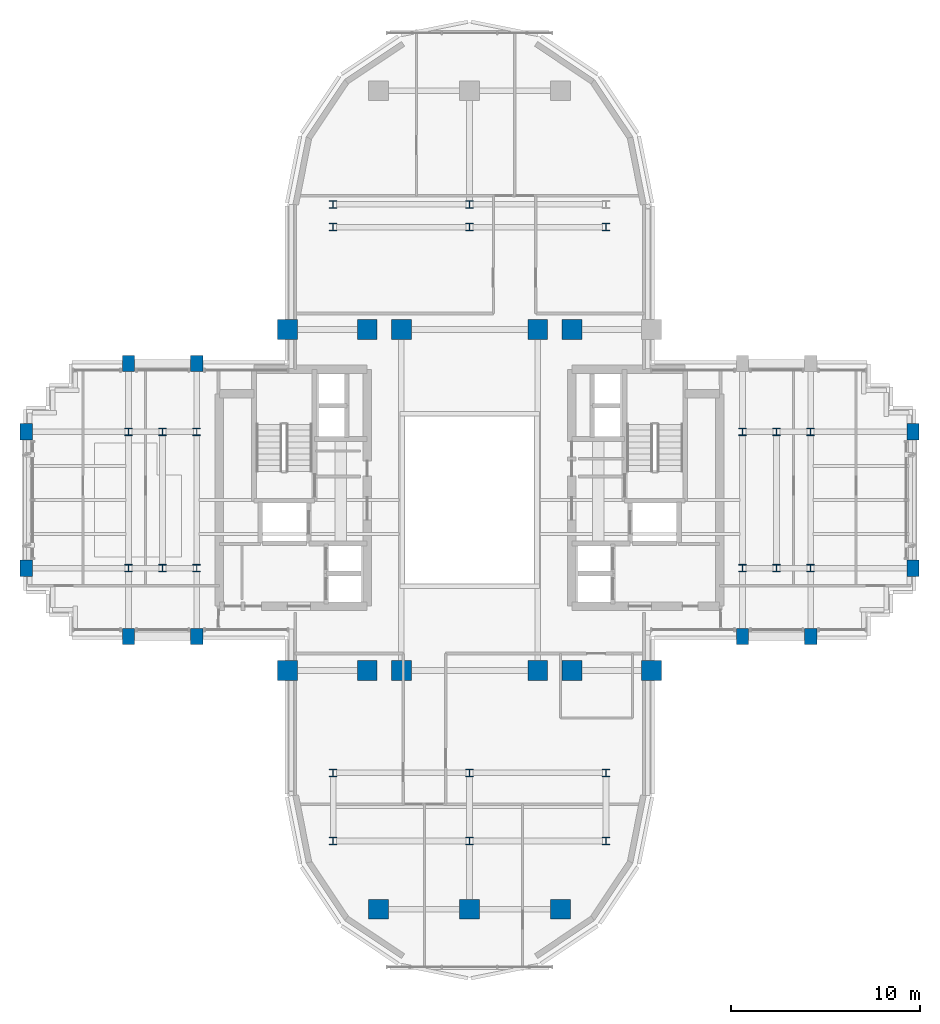
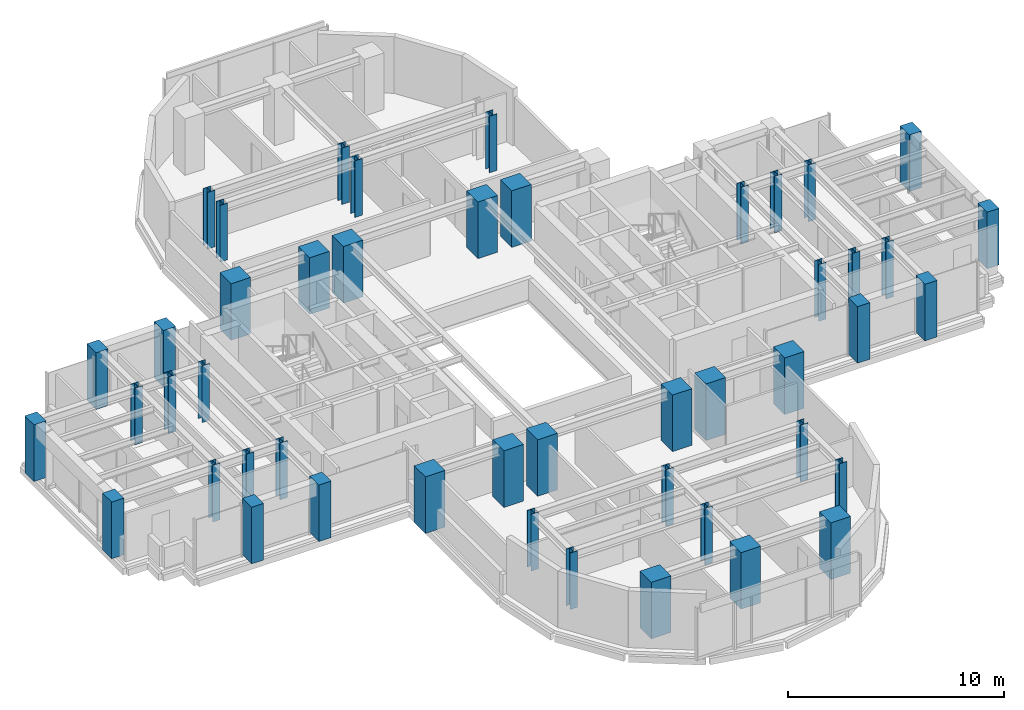
# One storey, part 1 of 14: 47 columns.
"""IFC4 building model written with IfcOpenShell, lengths in metres."""

import ifcopenshell
import ifcopenshell.guid

model = None  # the IFC model being written
_history = None  # IfcOwnerHistory: only IFC2X3 demands one
_inside = {}  # id of a spatial element -> (the spatial element, [elements in it])
_under = {}  # id of a project, library or spatial element -> (it, [spatial elements below it])
_declared = {}  # id of a project -> (the project, [libraries it declares])
_typed = {}  # id of a type object -> (the type object, [elements of that type])
_made_of = {}  # id of a material, layer set ... -> (it, [elements and type objects made of it])


def new_model(schema):
    """Start an empty IFC model of exactly this schema.

    Asked for "IFC4X3", IfcOpenShell would pick the latest addendum, in which some entities
    have other attributes; the version numbers below select the first issue.
    IFC2X3 requires an IfcOwnerHistory on every rooted entity: one is made here for all.
    """
    global model, _history
    if schema == "IFC4X3":
        model = ifcopenshell.file(schema_version=(4, 3, 0, 0))
    else:
        model = ifcopenshell.file(schema=schema)
    _inside.clear()
    _under.clear()
    _declared.clear()
    _typed.clear()
    _made_of.clear()
    _history = None
    if model.schema == "IFC2X3":
        org = make("IfcOrganization", Name="unknown")
        user = make(
            "IfcPersonAndOrganization",
            ThePerson=make("IfcPerson", FamilyName="unknown"),
            TheOrganization=org,
        )
        app = make(
            "IfcApplication",
            ApplicationDeveloper=org,
            Version="unknown",
            ApplicationFullName="unknown",
            ApplicationIdentifier="unknown",
        )
        _history = make(
            "IfcOwnerHistory",
            OwningUser=user,
            OwningApplication=app,
            ChangeAction="ADDED",
            CreationDate=0,
        )
    return model


def make(cls, **values):
    """One entity of the class cls with the attributes given. An attribute that is None is left unset."""
    return model.create_entity(
        cls, **{name: value for name, value in values.items() if value is not None}
    )


def rooted(cls, **values):
    """An entity with a GlobalId (a new one), such as an element, a storey or a relation."""
    return make(cls, GlobalId=ifcopenshell.guid.new(), OwnerHistory=_history, **values)


def si_unit(unit_type, name, prefix=None):
    """IfcSIUnit, for example si_unit("LENGTHUNIT", "METRE", prefix="MILLI")."""
    return make("IfcSIUnit", UnitType=unit_type, Prefix=prefix, Name=name)


def assignment(units):
    """IfcUnitAssignment: the units of a project."""
    return None if units is None else make("IfcUnitAssignment", Units=units)


def point(xyz):
    """IfcCartesianPoint."""
    return None if xyz is None else make("IfcCartesianPoint", Coordinates=xyz)


def direction(xyz):
    """IfcDirection."""
    return None if xyz is None else make("IfcDirection", DirectionRatios=xyz)


def frame(location, z_axis=None, x_axis=None):
    """IfcAxis2Placement3D, a coordinate frame: its origin and axes. An axis left out is left unset."""
    return make(
        "IfcAxis2Placement3D",
        Location=point(location),
        Axis=direction(z_axis),
        RefDirection=direction(x_axis),
    )


def frame_2d(location, x_axis=None):
    """IfcAxis2Placement2D, a coordinate frame in the plane: its origin and x axis."""
    return make(
        "IfcAxis2Placement2D", Location=point(location), RefDirection=direction(x_axis)
    )


def origin():
    """The frame at (0, 0, 0) with its axes left unset."""
    return frame((0.0, 0.0, 0.0))


def origin_2d():
    """The frame at (0, 0) in the plane with its x axis left unset."""
    return frame_2d((0.0, 0.0))


def place(relative_to, where):
    """IfcLocalPlacement: puts the frame where relative to a parent placement (None: the world)."""
    return make(
        "IfcLocalPlacement", PlacementRelTo=relative_to, RelativePlacement=where
    )


def context(
    kind, dimensions, precision=None, world=None, true_north=None, identifier=None
):
    """IfcGeometricRepresentationContext, for example the 3D "Model" context."""
    return make(
        "IfcGeometricRepresentationContext",
        ContextIdentifier=identifier,
        ContextType=kind,
        CoordinateSpaceDimension=dimensions,
        Precision=precision,
        WorldCoordinateSystem=world,
        TrueNorth=true_north,
    )


def subcontext(parent, identifier, kind, view, scale=None):
    """IfcGeometricRepresentationSubContext, for example "Body" below "Model"."""
    return make(
        "IfcGeometricRepresentationSubContext",
        ContextIdentifier=identifier,
        ContextType=kind,
        ParentContext=parent,
        TargetScale=scale,
        TargetView=view,
    )


def project(units=None, contexts=None):
    """IfcProject with its units and contexts."""
    return rooted(
        "IfcProject",
        Name="project",
        RepresentationContexts=contexts,
        UnitsInContext=assignment(units),
    )


def spatial(cls, under=None, at=None, **own):
    """A site, building, storey or space (cls), placed at a placement, below another one or the project."""
    s = rooted(cls, ObjectPlacement=at, **own)
    if under is not None:
        _under.setdefault(under.id(), (under, []))[1].append(s)
    return s


def profile(cls, at=None, kind="AREA", **sizes):
    """A parametric profile (cls). Its sizes go by their IFC names, for example OverallWidth=200.0."""
    return make(cls, ProfileType=kind, Position=at, **sizes)


def rectangle(**sizes):
    """IfcRectangleProfileDef."""
    return profile("IfcRectangleProfileDef", **sizes)


def i_section(**sizes):
    """IfcIShapeProfileDef."""
    return profile("IfcIShapeProfileDef", **sizes)


def extrude(swept, where, along, depth):
    """IfcExtrudedAreaSolid: the profile swept, set in the frame where, extruded along a direction by depth."""
    return make(
        "IfcExtrudedAreaSolid",
        SweptArea=swept,
        Position=where,
        ExtrudedDirection=direction(along),
        Depth=depth,
    )


def shape(context_of_items, identifier, shape_type, items):
    """IfcShapeRepresentation: the items that make up one representation, for example the "Body"."""
    return make(
        "IfcShapeRepresentation",
        ContextOfItems=context_of_items,
        RepresentationIdentifier=identifier,
        RepresentationType=shape_type,
        Items=items,
    )


def source(mapping_origin, context_of_items, identifier, shape_type, items):
    """IfcRepresentationMap: a shape defined once, which mapped items show again and again."""
    return make(
        "IfcRepresentationMap",
        MappingOrigin=mapping_origin,
        MappedRepresentation=shape(context_of_items, identifier, shape_type, items),
    )


def transform(
    local_origin,
    x_axis=None,
    y_axis=None,
    z_axis=None,
    scale=None,
    scale2=None,
    scale3=None,
    uniform=True,
):
    """IfcCartesianTransformationOperator3D, or its non-uniform kind. x_axis, y_axis, z_axis: its Axis1, 2, 3."""
    if uniform:
        return make(
            "IfcCartesianTransformationOperator3D",
            Axis1=direction(x_axis),
            Axis2=direction(y_axis),
            LocalOrigin=point(local_origin),
            Scale=scale,
            Axis3=direction(z_axis),
        )
    return make(
        "IfcCartesianTransformationOperator3DnonUniform",
        Axis1=direction(x_axis),
        Axis2=direction(y_axis),
        LocalOrigin=point(local_origin),
        Scale=scale,
        Axis3=direction(z_axis),
        Scale2=scale2,
        Scale3=scale3,
    )


def mapped(mapping_source, mapping_target):
    """IfcMappedItem: shows the shape of a source again, moved by a transform."""
    return make(
        "IfcMappedItem", MappingSource=mapping_source, MappingTarget=mapping_target
    )


def material(Name=None, Category=None):
    """IfcMaterial."""
    return make("IfcMaterial", Name=Name, Category=Category)


def material_profile(
    of_material, cross_section, Name=None, Category=None, Priority=None
):
    """IfcMaterialProfile: a cross section and its material."""
    return make(
        "IfcMaterialProfile",
        Name=Name,
        Material=of_material,
        Profile=cross_section,
        Priority=Priority,
        Category=Category,
    )


def profile_set(profiles, Name=None, composite=None):
    """IfcMaterialProfileSet."""
    return make(
        "IfcMaterialProfileSet",
        Name=Name,
        MaterialProfiles=profiles,
        CompositeProfile=composite,
    )


def made_of(thing, what):
    """Note that an element or type object is made of a material, layer set ...; save() writes the relation."""
    if what is not None:
        _made_of.setdefault(what.id(), (what, []))[1].append(thing)
    return thing


def type_object(cls, material=None, **own):
    """A type object (cls), such as IfcWallType, which elements share."""
    return made_of(rooted(cls, **own), material)


def element(
    cls,
    number,
    at=None,
    inside=None,
    cuts=None,
    type_object=None,
    material=None,
    context=None,
    identifier="Body",
    shape_type=None,
    held_by="IfcProductDefinitionShape",
    body=None,
    shapes=None,
    **own,
):
    """One element of the class cls, such as IfcWall. Its Tag is "e" and its number.

    at: its placement. inside: the storey or other place that contains it. cuts: it is an
    opening in that element (IfcRelVoidsElement). A single representation is given by context,
    identifier, shape_type and body (its items); several are given by shapes. held_by: the class
    of the entity that holds the representations. save() writes the other relations.
    """
    e = rooted(cls, Tag="e%d" % number, ObjectPlacement=at, **own)
    if body is not None:
        shapes = [shape(context, identifier, shape_type, body)]
    if shapes is not None:
        e.Representation = make(held_by, Representations=shapes)
    if inside is not None:
        _inside.setdefault(inside.id(), (inside, []))[1].append(e)
    if cuts is not None:
        rooted(
            "IfcRelVoidsElement", RelatingBuildingElement=cuts, RelatedOpeningElement=e
        )
    if type_object is not None:
        _typed.setdefault(type_object.id(), (type_object, []))[1].append(e)
    return made_of(e, material)


def aggregate(whole, parts):
    """IfcRelAggregates: a whole, such as a stair, and the parts it consists of."""
    return rooted("IfcRelAggregates", RelatingObject=whole, RelatedObjects=parts)


def save(model, path):
    """Write the relations noted so far, then the file.

    IfcRelAggregates (storeys below a building ...), IfcRelContainedInSpatialStructure (elements
    in a storey), IfcRelDefinesByType, IfcRelAssociatesMaterial and IfcRelDeclares: one each for
    every whole, place, type object, material and project.
    """
    for whole, parts in _under.values():
        aggregate(whole, parts)
    for where, things in _inside.values():
        rooted(
            "IfcRelContainedInSpatialStructure",
            RelatedElements=things,
            RelatingStructure=where,
        )
    for kind, things in _typed.values():
        rooted("IfcRelDefinesByType", RelatedObjects=things, RelatingType=kind)
    for what, things in _made_of.values():
        rooted("IfcRelAssociatesMaterial", RelatedObjects=things, RelatingMaterial=what)
    for by, libraries in _declared.values():
        rooted("IfcRelDeclares", RelatingContext=by, RelatedDefinitions=libraries)
    model.write(path)


model = new_model("IFC4")

# Units and contexts
model_context = context("Model", 3, precision=1e-05, world=origin(), true_north=direction((0.0, 1.0)))
body_context = subcontext(model_context, "Body", "Model", "MODEL_VIEW")
ifc_project = project(units=[si_unit("LENGTHUNIT", "METRE"), si_unit("AREAUNIT", "SQUARE_METRE"), si_unit("VOLUMEUNIT", "CUBIC_METRE"), si_unit("PLANEANGLEUNIT", "RADIAN"), si_unit("MASSUNIT", "GRAM", prefix="KILO")], contexts=[model_context])

# Site, building, storey
site_placement = place(None, origin())
site = spatial("IfcSite", under=ifc_project, at=site_placement, CompositionType="ELEMENT")
building_placement = place(site_placement, origin())
building = spatial("IfcBuilding", under=site, at=building_placement, Name="Keilestroom Media Tower", CompositionType="ELEMENT")
storey_placement = place(building_placement, frame((0.0, 0.0, 121.0)))
storey = spatial("IfcBuildingStorey", under=building, at=storey_placement, Name="L32", CompositionType="ELEMENT", Elevation=121.0)

# Columns
ifc_material_1 = material(Name="Precast concrete C40/50", Category="concrete")
ifc_material_profile_1 = material_profile(ifc_material_1, rectangle(XDim=0.64990234375, YDim=0.85009765625, at=origin_2d()), Name="PC 850x650")
ifc_profile_set_1 = profile_set([ifc_material_profile_1], Name="Precast concrete C40/50")
column_type_1 = type_object("IfcColumnType", Name="Structural-Column-PC-850x650", PredefinedType="COLUMN", material=ifc_profile_set_1)
shared_shape_1 = source(origin(), body_context, "Body", "SweptSolid", [
    extrude(rectangle(XDim=0.64990234375, YDim=0.85009765625, at=origin_2d()), origin(), (0.0, 0.0, 1.0), 3.199951171875),
])
for number, where, z_axis, x_axis, name in (
    (1, (-23.39990234375, -3.60009765625, 0.0), (0.0, 0.0, 1.0), (1.0, 0.0, 0.0), "L32 Column PC-2 (-23.4,-3.6)"),
    (2, (-23.39990234375, 3.60009765625, 0.0), (0.0, 0.0, 1.0), (1.0, 0.0, 0.0), "L32 Column PC-2 (-23.4,+3.6)"),
    (3, (-18.0, -7.199951171875, 0.0), (0.0, 0.0, 1.0), (1.0, 0.0, 0.0), "L32 Column PC-2 (-18.0,-7.2)"),
    (4, (-18.0, 7.199951171875, 0.0), (0.0, 0.0, 1.0), (1.0, 0.0, 0.0), "L32 Column PC-2 (-18.0,+7.2)"),
    (5, (-14.39990234375, -7.199951171875, 0.0), (0.0, 0.0, 1.0), (1.0, 0.0, 0.0), "L32 Column PC-2 (-14.4,-7.2)"),
    (6, (-14.39990234375, 7.199951171875, 0.0), (0.0, 0.0, 1.0), (1.0, 0.0, 0.0), "L32 Column PC-2 (-14.4,+7.2)"),
    (7, (14.39990234375, -7.199951171875, 0.0), (0.0, 0.0, 1.0), (1.0, 0.0, 0.0), "L32 Column PC-2 (+14.4,-7.2)"),
    (8, (18.0, -7.199951171875, 0.0), (0.0, 0.0, 1.0), (1.0, 0.0, 0.0), "L32 Column PC-2 (+18.0,-7.2)"),
    (9, (23.39990234375, -3.60009765625, 0.0), (0.0, 0.0, 1.0), (1.0, 0.0, 0.0), "L32 Column PC-2 (+23.4,-3.6)"),
    (10, (23.39990234375, 3.60009765625, 0.0), (0.0, 0.0, 1.0), (1.0, 0.0, 0.0), "L32 Column PC-2 (+23.4,+3.6)"),
):
    element("IfcColumn", number, at=place(storey_placement, frame(where, z_axis=z_axis, x_axis=x_axis)), inside=storey, type_object=column_type_1, Name=name, PredefinedType="COLUMN", context=body_context, shape_type="MappedRepresentation", body=[
        mapped(shared_shape_1, transform((0.0, 0.0, 0.0), x_axis=(1.0, 0.0, 0.0), y_axis=(0.0, 1.0, 0.0), z_axis=(0.0, 0.0, 1.0), scale=1.0)),
    ])
ifc_material_2 = material(Name="Steel S355", Category="steel")
ifc_material_profile_2 = material_profile(ifc_material_2, i_section(OverallWidth=0.40087890625, OverallDepth=0.39892578125, WebThickness=0.02001953125, FlangeThickness=0.031982421875, at=origin_2d()), Name="HD 400x314")
ifc_profile_set_2 = profile_set([ifc_material_profile_2], Name="Steel S355")
column_type_2 = type_object("IfcColumnType", Name="Structural-Column-HD-400x314", PredefinedType="COLUMN", material=ifc_profile_set_2)
shared_shape_2 = source(origin(), body_context, "Body", "SweptSolid", [
    extrude(i_section(OverallWidth=0.40087890625, OverallDepth=0.39892578125, WebThickness=0.02001953125, FlangeThickness=0.031982421875, at=origin_2d()), origin(), (0.0, 0.0, 1.0), 3.199951171875),
])
for number, where, z_axis, x_axis, name in (
    (11, (-18.0, -3.60009765625, 0.0), (0.0, 0.0, 1.0), (1.0, 0.0, 0.0), "L32 Column SC-3 (-18.0,-3.6)"),
    (12, (-18.0, 3.60009765625, 0.0), (0.0, 0.0, 1.0), (1.0, 0.0, 0.0), "L32 Column SC-3 (-18.0,+3.6)"),
    (13, (-16.199951171875, -3.60009765625, 0.0), (0.0, 0.0, 1.0), (1.0, 0.0, 0.0), "L32 Column SC-3 (-16.2,-3.6)"),
    (14, (-16.199951171875, 3.60009765625, 0.0), (0.0, 0.0, 1.0), (1.0, 0.0, 0.0), "L32 Column SC-3 (-16.2,+3.6)"),
    (15, (-14.39990234375, -3.60009765625, 0.0), (0.0, 0.0, 1.0), (1.0, 0.0, 0.0), "L32 Column SC-3 (-14.4,-3.6)"),
    (16, (-14.39990234375, 3.60009765625, 0.0), (0.0, 0.0, 1.0), (1.0, 0.0, 0.0), "L32 Column SC-3 (-14.4,+3.6)"),
    (17, (-7.199951171875, -18.0, 0.0), (0.0, 0.0, 1.0), (1.0, 0.0, 0.0), "L32 Column SC-3 (-7.2,-18.0)"),
    (18, (-7.199951171875, -14.39990234375, 0.0), (0.0, 0.0, 1.0), (1.0, 0.0, 0.0), "L32 Column SC-3 (-7.2,-14.4)"),
    (19, (-7.199951171875, 14.39990234375, 0.0), (0.0, 0.0, 1.0), (1.0, 0.0, 0.0), "L32 Column SC-3 (-7.2,+14.4)"),
    (20, (-7.199951171875, 15.60009765625, 0.0), (0.0, 0.0, 1.0), (1.0, 0.0, 0.0), "L32 Column SC-3 (-7.2,+15.6)"),
    (21, (0.0, -18.0, 0.0), (0.0, 0.0, 1.0), (1.0, 0.0, 0.0), "L32 Column SC-3 (+0.0,-18.0)"),
    (22, (0.0, -14.39990234375, 0.0), (0.0, 0.0, 1.0), (1.0, 0.0, 0.0), "L32 Column SC-3 (+0.0,-14.4)"),
    (23, (0.0, 14.39990234375, 0.0), (0.0, 0.0, 1.0), (1.0, 0.0, 0.0), "L32 Column SC-3 (+0.0,+14.4)"),
    (24, (0.0, 15.60009765625, 0.0), (0.0, 0.0, 1.0), (1.0, 0.0, 0.0), "L32 Column SC-3 (+0.0,+15.6)"),
    (25, (7.199951171875, -18.0, 0.0), (0.0, 0.0, 1.0), (1.0, 0.0, 0.0), "L32 Column SC-3 (+7.2,-18.0)"),
    (26, (7.199951171875, -14.39990234375, 0.0), (0.0, 0.0, 1.0), (1.0, 0.0, 0.0), "L32 Column SC-3 (+7.2,-14.4)"),
    (27, (7.199951171875, 14.39990234375, 0.0), (0.0, 0.0, 1.0), (1.0, 0.0, 0.0), "L32 Column SC-3 (+7.2,+14.4)"),
    (28, (14.39990234375, -3.60009765625, 0.0), (0.0, 0.0, 1.0), (1.0, 0.0, 0.0), "L32 Column SC-3 (+14.4,-3.6)"),
    (29, (14.39990234375, 3.60009765625, 0.0), (0.0, 0.0, 1.0), (1.0, 0.0, 0.0), "L32 Column SC-3 (+14.4,+3.6)"),
    (30, (16.199951171875, -3.60009765625, 0.0), (0.0, 0.0, 1.0), (1.0, 0.0, 0.0), "L32 Column SC-3 (+16.2,-3.6)"),
    (31, (16.199951171875, 3.60009765625, 0.0), (0.0, 0.0, 1.0), (1.0, 0.0, 0.0), "L32 Column SC-3 (+16.2,+3.6)"),
    (32, (18.0, -3.60009765625, 0.0), (0.0, 0.0, 1.0), (1.0, 0.0, 0.0), "L32 Column SC-3 (+18.0,-3.6)"),
    (33, (18.0, 3.60009765625, 0.0), (0.0, 0.0, 1.0), (1.0, 0.0, 0.0), "L32 Column SC-3 (+18.0,+3.6)"),
):
    element("IfcColumn", number, at=place(storey_placement, frame(where, z_axis=z_axis, x_axis=x_axis)), inside=storey, type_object=column_type_2, Name=name, PredefinedType="COLUMN", context=body_context, shape_type="MappedRepresentation", body=[
        mapped(shared_shape_2, transform((0.0, 0.0, 0.0), x_axis=(1.0, 0.0, 0.0), y_axis=(0.0, 1.0, 0.0), z_axis=(0.0, 0.0, 1.0), scale=1.0)),
    ])
ifc_material_3 = material(Name="Concrete C55/67", Category="concrete")
ifc_material_profile_3 = material_profile(ifc_material_3, rectangle(XDim=1.050048828125, YDim=1.050048828125, at=origin_2d()), Name="RC 1050x1050")
ifc_profile_set_3 = profile_set([ifc_material_profile_3], Name="Concrete C55/67")
column_type_3 = type_object("IfcColumnType", Name="Structural-Column-RC-1050x1050", PredefinedType="COLUMN", material=ifc_profile_set_3)
shared_shape_3 = source(origin(), body_context, "Body", "SweptSolid", [
    extrude(rectangle(XDim=1.050048828125, YDim=1.050048828125, at=origin_2d()), origin(), (0.0, 0.0, 1.0), 3.199951171875),
])
for number, where, z_axis, x_axis, name in (
    (34, (-9.60009765625, -9.0, 0.0), (0.0, 0.0, 1.0), (1.0, 0.0, 0.0), "L32 Column MC-3 (-9.6,-9.0)"),
    (35, (-9.60009765625, 9.0, 0.0), (0.0, 0.0, 1.0), (1.0, 0.0, 0.0), "L32 Column MC-3 (-9.6,+9.0)"),
    (36, (-5.39990234375, -9.0, 0.0), (0.0, 0.0, 1.0), (1.0, 0.0, 0.0), "L32 Column MC-3 (-5.4,-9.0)"),
    (37, (-5.39990234375, 9.0, 0.0), (0.0, 0.0, 1.0), (1.0, 0.0, 0.0), "L32 Column MC-3 (-5.4,+9.0)"),
    (38, (-4.800048828125, -21.60009765625, 0.0), (0.0, 0.0, 1.0), (1.0, 0.0, 0.0), "L32 Column MC-3 (-4.8,-21.6)"),
    (39, (-3.60009765625, -9.0, 0.0), (0.0, 0.0, 1.0), (1.0, 0.0, 0.0), "L32 Column MC-3 (-3.6,-9.0)"),
    (40, (-3.60009765625, 9.0, 0.0), (0.0, 0.0, 1.0), (1.0, 0.0, 0.0), "L32 Column MC-3 (-3.6,+9.0)"),
    (41, (0.0, -21.60009765625, 0.0), (0.0, 0.0, 1.0), (1.0, 0.0, 0.0), "L32 Column MC-3 (+0.0,-21.6)"),
    (42, (3.60009765625, -9.0, 0.0), (0.0, 0.0, 1.0), (1.0, 0.0, 0.0), "L32 Column MC-3 (+3.6,-9.0)"),
    (43, (3.60009765625, 9.0, 0.0), (0.0, 0.0, 1.0), (1.0, 0.0, 0.0), "L32 Column MC-3 (+3.6,+9.0)"),
    (44, (4.800048828125, -21.60009765625, 0.0), (0.0, 0.0, 1.0), (1.0, 0.0, 0.0), "L32 Column MC-3 (+4.8,-21.6)"),
    (45, (5.39990234375, -9.0, 0.0), (0.0, 0.0, 1.0), (1.0, 0.0, 0.0), "L32 Column MC-3 (+5.4,-9.0)"),
    (46, (5.39990234375, 9.0, 0.0), (0.0, 0.0, 1.0), (1.0, 0.0, 0.0), "L32 Column MC-3 (+5.4,+9.0)"),
    (47, (9.60009765625, -9.0, 0.0), (0.0, 0.0, 1.0), (1.0, 0.0, 0.0), "L32 Column MC-3 (+9.6,-9.0)"),
):
    element("IfcColumn", number, at=place(storey_placement, frame(where, z_axis=z_axis, x_axis=x_axis)), inside=storey, type_object=column_type_3, Name=name, PredefinedType="COLUMN", context=body_context, shape_type="MappedRepresentation", body=[
        mapped(shared_shape_3, transform((0.0, 0.0, 0.0), x_axis=(1.0, 0.0, 0.0), y_axis=(0.0, 1.0, 0.0), z_axis=(0.0, 0.0, 1.0), scale=1.0)),
    ])

save(model, "model.ifc")
